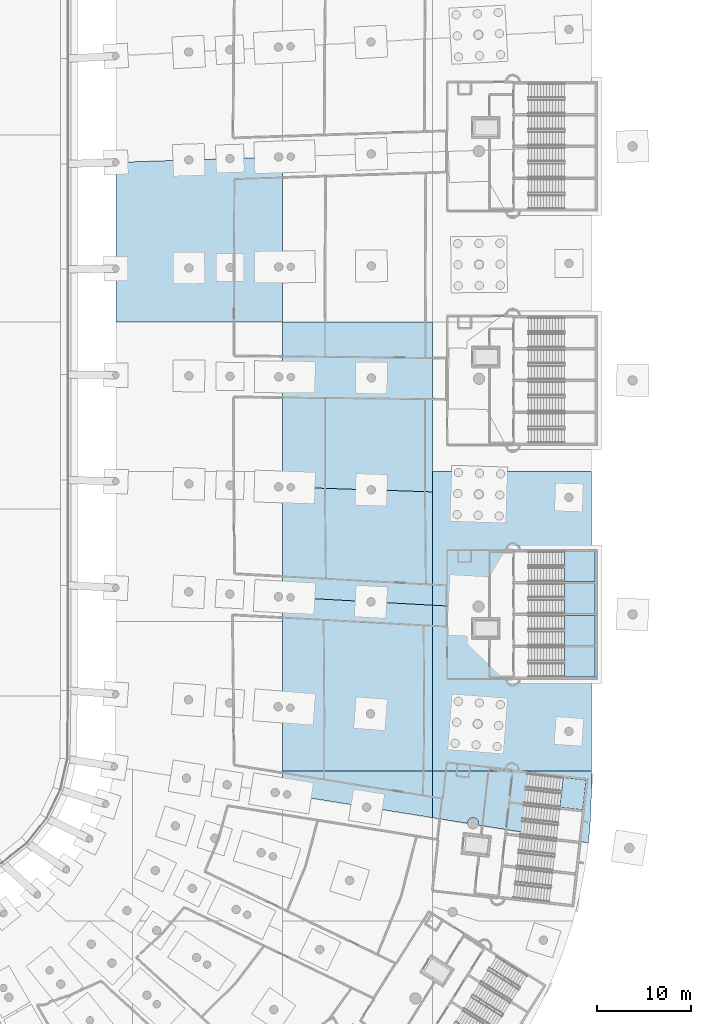
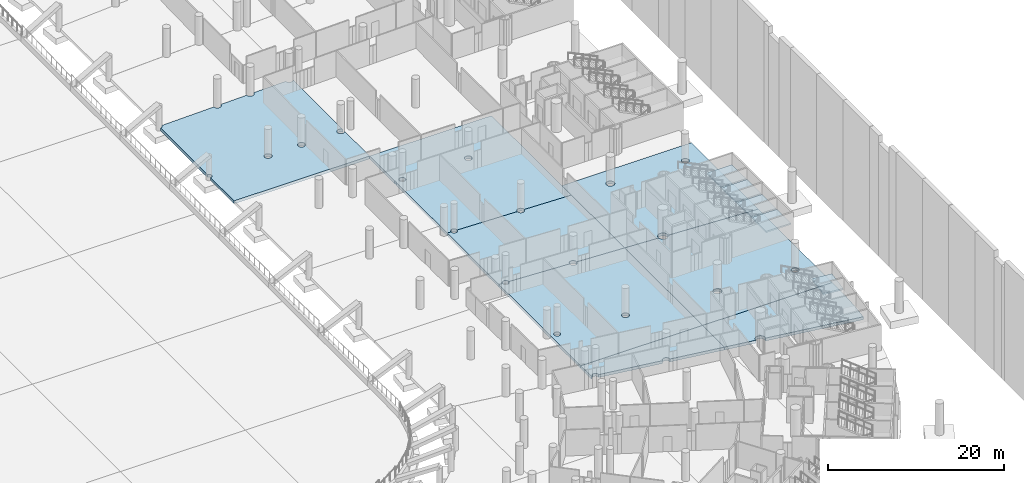
# One storey, part 24 of 142: 13 slabs, 5 elements without a shape of their own.
"""IFC4 building model written with IfcOpenShell, lengths in metres."""

from ifc_helpers import new_model, si_unit, direction, frame, origin, place, context, subcontext, project, spatial, polyline, outline, extrude, material, layer, layer_set, type_object, element, aggregate, save


model = new_model("IFC4")

# Units and contexts
model_context = context("Model", 3, precision=1e-05, world=origin(), true_north=direction((0.0, 1.0)))
body_context = subcontext(model_context, "Body", "Model", "MODEL_VIEW")
ifc_project = project(units=[si_unit("LENGTHUNIT", "METRE"), si_unit("AREAUNIT", "SQUARE_METRE"), si_unit("VOLUMEUNIT", "CUBIC_METRE"), si_unit("PLANEANGLEUNIT", "RADIAN"), si_unit("MASSUNIT", "GRAM", prefix="KILO")], contexts=[model_context])

# Site, building, storey
site_placement = place(None, origin())
site = spatial("IfcSite", under=ifc_project, at=site_placement, CompositionType="ELEMENT")
building_placement = place(site_placement, origin())
building = spatial("IfcBuilding", under=site, at=building_placement, Name="Meseta Stadium", CompositionType="ELEMENT")
storey_placement = place(building_placement, frame((0.0, 0.0, -4.0)))
storey = spatial("IfcBuildingStorey", under=building, at=storey_placement, Name="B1", CompositionType="ELEMENT", Elevation=-4.0)

# Slabs
ifc_material_1 = material(Name="Concrete C30/37", Category="concrete")
ifc_layer_1 = layer(ifc_material_1, 0.39990234375)
ifc_layer_set_1 = layer_set([ifc_layer_1], Name="Base slab 400")
slab_type_1 = type_object("IfcSlabType", Name="Base slab 400", PredefinedType="BASESLAB", material=ifc_layer_set_1)
slab_1_placement = place(storey_placement, frame((0.0, 0.0, -0.39990234375)))
element("IfcSlab", 1, at=slab_1_placement, inside=storey, type_object=slab_type_1, Name="Base slab B1 sector 00 panel 04", PredefinedType="BASESLAB", context=body_context, shape_type="SweptSolid", body=[
    extrude(outline(polyline([(46.524658203125, 5.816650390625), (46.544677734375, 5.75048828125), (46.551025390625, 5.685791015625), (46.544677734375, 5.61328125), (46.524658203125, 5.54736328125), (46.4921875, 5.486572265625), (46.448486328125, 5.433349609375), (46.39501953125, 5.3896484375), (46.334228515625, 5.357177734375), (46.268310546875, 5.337158203125), (46.19970703125, 5.330322265625), (46.199951171875, 0.0), (64.0, 0.0), (64.0, 5.669189453125), (63.974609375, 5.62158203125), (63.91845703125, 5.552978515625), (63.849853515625, 5.496826171875), (63.771728515625, 5.455078125), (63.68701171875, 5.42919921875), (63.5986328125, 5.420654296875), (63.510498046875, 5.42919921875), (63.425537109375, 5.455078125), (63.347412109375, 5.496826171875), (63.27880859375, 5.552978515625), (63.22265625, 5.62158203125), (63.180908203125, 5.69970703125), (63.1552734375, 5.78466796875), (63.146484375, 5.872802734375), (63.1552734375, 5.9609375), (63.180908203125, 6.0458984375), (63.22265625, 6.1240234375), (63.27880859375, 6.1923828125), (63.347412109375, 6.248779296875), (63.425537109375, 6.29052734375), (63.510498046875, 6.31640625), (63.5986328125, 6.324951171875), (63.68701171875, 6.31640625), (63.771728515625, 6.29052734375), (63.849853515625, 6.248779296875), (63.91845703125, 6.1923828125), (63.974609375, 6.1240234375), (64.0, 6.076416015625), (64.0, 17.434814453125), (63.9638671875, 17.36669921875), (63.907470703125, 17.29833984375), (63.839111328125, 17.241943359375), (63.7607421875, 17.2001953125), (63.676025390625, 17.174560546875), (63.587890625, 17.165771484375), (63.49951171875, 17.174560546875), (63.414794921875, 17.2001953125), (63.336669921875, 17.241943359375), (63.26806640625, 17.29833984375), (63.2119140625, 17.36669921875), (63.169921875, 17.445068359375), (63.144287109375, 17.52978515625), (63.13720703125, 17.603271484375), (58.84130859375, 17.4619140625), (58.8427734375, 17.447021484375), (58.833984375, 17.35888671875), (58.808349609375, 17.27392578125), (58.7666015625, 17.19580078125), (58.710205078125, 17.127197265625), (58.641845703125, 17.071044921875), (58.563720703125, 17.029296875), (58.478759765625, 17.003662109375), (58.390625, 16.994873046875), (58.302490234375, 17.003662109375), (58.217529296875, 17.029296875), (58.139404296875, 17.071044921875), (58.07080078125, 17.127197265625), (58.0146484375, 17.19580078125), (57.972900390625, 17.27392578125), (57.947021484375, 17.35888671875), (57.93994140625, 17.43212890625), (54.443603515625, 17.317138671875), (54.445068359375, 17.302490234375), (54.4365234375, 17.214111328125), (54.41064453125, 17.12939453125), (54.368896484375, 17.05126953125), (54.312744140625, 16.982666015625), (54.244140625, 16.926513671875), (54.166015625, 16.884521484375), (54.081298828125, 16.85888671875), (53.992919921875, 16.85009765625), (53.90478515625, 16.85888671875), (53.81982421875, 16.884521484375), (53.74169921875, 16.926513671875), (53.673095703125, 16.982666015625), (53.616943359375, 17.05126953125), (53.5751953125, 17.12939453125), (53.549560546875, 17.214111328125), (53.542236328125, 17.28759765625), (46.5478515625, 17.0576171875), (46.548828125, 17.0458984375), (46.5419921875, 16.977294921875), (46.522216796875, 16.911376953125), (46.489501953125, 16.8505859375), (46.44580078125, 16.79736328125), (46.392578125, 16.75341796875), (46.331787109375, 16.720947265625), (46.265869140625, 16.700927734375), (46.197265625, 16.6943359375), (46.19970703125, 6.03369140625), (46.268310546875, 6.02685546875), (46.334228515625, 6.0068359375), (46.39501953125, 5.974365234375), (46.448486328125, 5.9306640625), (46.4921875, 5.87744140625), (46.524658203125, 5.816650390625)]), holes=[polyline([(53.679443359375, 5.44775390625), (53.623291015625, 5.516357421875), (53.58154296875, 5.594482421875), (53.5556640625, 5.67919921875), (53.547119140625, 5.767578125), (53.5556640625, 5.855712890625), (53.58154296875, 5.940673828125), (53.623291015625, 6.018798828125), (53.679443359375, 6.08740234375), (53.748046875, 6.1435546875), (53.826171875, 6.185302734375), (53.910888671875, 6.2109375), (53.999267578125, 6.2197265625), (54.08740234375, 6.2109375), (54.17236328125, 6.185302734375), (54.25048828125, 6.1435546875), (54.319091796875, 6.08740234375), (54.375244140625, 6.018798828125), (54.4169921875, 5.940673828125), (54.442626953125, 5.855712890625), (54.451416015625, 5.767578125), (54.442626953125, 5.67919921875), (54.4169921875, 5.594482421875), (54.375244140625, 5.516357421875), (54.319091796875, 5.44775390625), (54.25048828125, 5.3916015625), (54.17236328125, 5.349853515625), (54.08740234375, 5.323974609375), (53.999267578125, 5.3154296875), (53.910888671875, 5.323974609375), (53.826171875, 5.349853515625), (53.748046875, 5.3916015625), (53.679443359375, 5.44775390625)]), polyline([(58.0791015625, 5.49609375), (58.02294921875, 5.564697265625), (57.981201171875, 5.642578125), (57.95556640625, 5.7275390625), (57.94677734375, 5.81591796875), (57.95556640625, 5.904052734375), (57.981201171875, 5.98876953125), (58.02294921875, 6.06689453125), (58.0791015625, 6.135498046875), (58.147705078125, 6.191650390625), (58.225830078125, 6.2333984375), (58.310791015625, 6.25927734375), (58.39892578125, 6.26806640625), (58.4873046875, 6.25927734375), (58.572021484375, 6.2333984375), (58.650146484375, 6.191650390625), (58.71875, 6.135498046875), (58.77490234375, 6.06689453125), (58.816650390625, 5.98876953125), (58.84228515625, 5.904052734375), (58.85107421875, 5.81591796875), (58.84228515625, 5.7275390625), (58.816650390625, 5.642578125), (58.77490234375, 5.564697265625), (58.71875, 5.49609375), (58.650146484375, 5.439697265625), (58.572021484375, 5.39794921875), (58.4873046875, 5.372314453125), (58.39892578125, 5.363525390625), (58.310791015625, 5.372314453125), (58.225830078125, 5.39794921875), (58.147705078125, 5.439697265625), (58.0791015625, 5.49609375)])]), origin(), (0.0, 0.0, 1.0), 0.39990234375),
])
slab_2_placement = place(storey_placement, frame((0.0, 0.0, -0.39990234375)))
element("IfcSlab", 2, at=slab_2_placement, inside=storey, type_object=slab_type_1, Name="Base slab B1 sector 00 panel 06", PredefinedType="BASESLAB", context=body_context, shape_type="SweptSolid", body=[
    extrude(outline(polyline([(64.492919921875, -29.587158203125), (64.469970703125, -29.51171875), (64.462158203125, -29.433349609375), (64.46435546875, -29.411376953125), (64.015869140625, -29.38671875), (64.009521484375, -29.450439453125), (64.0, -29.482177734375), (64.0, -48.0), (80.0, -48.0), (80.0, -30.26318359375), (73.90087890625, -29.9287109375), (73.894775390625, -29.9921875), (73.868896484375, -30.0771484375), (73.8271484375, -30.1552734375), (73.77099609375, -30.223876953125), (73.702392578125, -30.280029296875), (73.624267578125, -30.322021484375), (73.53955078125, -30.34765625), (73.451416015625, -30.356201171875), (73.363037109375, -30.34765625), (73.2783203125, -30.322021484375), (73.2001953125, -30.280029296875), (73.131591796875, -30.223876953125), (73.0751953125, -30.1552734375), (73.033447265625, -30.0771484375), (73.0078125, -29.9921875), (72.9990234375, -29.904052734375), (73.00146484375, -29.87939453125), (65.263916015625, -29.455322265625), (65.25830078125, -29.51171875), (65.235595703125, -29.587158203125), (65.198486328125, -29.656494140625), (65.1484375, -29.717529296875), (65.08740234375, -29.767578125), (65.01806640625, -29.8046875), (64.942626953125, -29.82763671875), (64.8642578125, -29.835205078125), (64.78564453125, -29.82763671875), (64.710205078125, -29.8046875), (64.640869140625, -29.767578125), (64.580078125, -29.717529296875), (64.530029296875, -29.656494140625), (64.492919921875, -29.587158203125)]), holes=[polyline([(73.84814453125, -41.77392578125), (73.85693359375, -41.8623046875), (73.84814453125, -41.950439453125), (73.822509765625, -42.03515625), (73.78076171875, -42.11328125), (73.724365234375, -42.181884765625), (73.656005859375, -42.23828125), (73.57763671875, -42.280029296875), (73.492919921875, -42.3056640625), (73.40478515625, -42.314453125), (73.31640625, -42.3056640625), (73.231689453125, -42.280029296875), (73.153564453125, -42.23828125), (73.0849609375, -42.181884765625), (73.02880859375, -42.11328125), (72.98681640625, -42.03515625), (72.961181640625, -41.950439453125), (72.952392578125, -41.8623046875), (72.961181640625, -41.77392578125), (72.98681640625, -41.689208984375), (73.02880859375, -41.611083984375), (73.0849609375, -41.54248046875), (73.153564453125, -41.486083984375), (73.231689453125, -41.4443359375), (73.31640625, -41.418701171875), (73.40478515625, -41.409912109375), (73.492919921875, -41.418701171875), (73.57763671875, -41.4443359375), (73.656005859375, -41.486083984375), (73.724365234375, -41.54248046875), (73.78076171875, -41.611083984375), (73.822509765625, -41.689208984375), (73.84814453125, -41.77392578125)]), polyline([(65.22412109375, -41.12548828125), (65.231689453125, -41.2041015625), (65.22412109375, -41.282470703125), (65.201171875, -41.35791015625), (65.1640625, -41.427490234375), (65.114013671875, -41.48828125), (65.05322265625, -41.5380859375), (64.983642578125, -41.575439453125), (64.908203125, -41.598388671875), (64.829833984375, -41.60595703125), (64.75146484375, -41.598388671875), (64.676025390625, -41.575439453125), (64.606689453125, -41.5380859375), (64.545654296875, -41.48828125), (64.49560546875, -41.427490234375), (64.45849609375, -41.35791015625), (64.435791015625, -41.282470703125), (64.427978515625, -41.2041015625), (64.435791015625, -41.12548828125), (64.45849609375, -41.05029296875), (64.49560546875, -40.980712890625), (64.545654296875, -40.919921875), (64.606689453125, -40.869873046875), (64.676025390625, -40.832763671875), (64.75146484375, -40.809814453125), (64.829833984375, -40.802001953125), (64.908203125, -40.809814453125), (64.983642578125, -40.832763671875), (65.05322265625, -40.869873046875), (65.114013671875, -40.919921875), (65.1640625, -40.980712890625), (65.201171875, -41.05029296875), (65.22412109375, -41.12548828125)])]), origin(), (0.0, 0.0, 1.0), 0.39990234375),
])
slab_3_placement = place(storey_placement, frame((0.0, 0.0, -0.39990234375)))
element("IfcSlab", 3, at=slab_3_placement, inside=storey, type_object=slab_type_1, Name="Base slab B1 sector 00 panel 08", PredefinedType="BASESLAB", context=body_context, shape_type="SweptSolid", body=[
    extrude(outline(polyline([(64.009521484375, -29.27392578125), (64.018310546875, -29.3623046875), (64.015869140625, -29.38671875), (64.46435546875, -29.411376953125), (64.469970703125, -29.35498046875), (64.492919921875, -29.279541015625), (64.530029296875, -29.2099609375), (64.580078125, -29.149169921875), (64.640869140625, -29.09912109375), (64.710205078125, -29.06201171875), (64.78564453125, -29.0390625), (64.8642578125, -29.031494140625), (64.942626953125, -29.0390625), (65.01806640625, -29.06201171875), (65.08740234375, -29.09912109375), (65.1484375, -29.149169921875), (65.198486328125, -29.2099609375), (65.235595703125, -29.279541015625), (65.25830078125, -29.35498046875), (65.26611328125, -29.433349609375), (65.263916015625, -29.455322265625), (73.00146484375, -29.87939453125), (73.0078125, -29.81591796875), (73.033447265625, -29.731201171875), (73.0751953125, -29.65283203125), (73.131591796875, -29.58447265625), (73.2001953125, -29.5283203125), (73.2783203125, -29.486328125), (73.363037109375, -29.460693359375), (73.451416015625, -29.451904296875), (73.53955078125, -29.460693359375), (73.624267578125, -29.486328125), (73.702392578125, -29.5283203125), (73.77099609375, -29.58447265625), (73.8271484375, -29.65283203125), (73.868896484375, -29.731201171875), (73.894775390625, -29.81591796875), (73.9033203125, -29.904052734375), (73.90087890625, -29.9287109375), (80.0, -30.26318359375), (80.0, -18.157958984375), (73.93310546875, -17.958251953125), (73.92578125, -18.03173828125), (73.900146484375, -18.116455078125), (73.8583984375, -18.194580078125), (73.80224609375, -18.26318359375), (73.733642578125, -18.319580078125), (73.655517578125, -18.361328125), (73.570556640625, -18.386962890625), (73.482421875, -18.395751953125), (73.394287109375, -18.386962890625), (73.309326171875, -18.361328125), (73.231201171875, -18.319580078125), (73.16259765625, -18.26318359375), (73.1064453125, -18.194580078125), (73.064697265625, -18.116455078125), (73.038818359375, -18.03173828125), (73.0302734375, -17.943603515625), (73.03173828125, -17.9287109375), (65.28759765625, -17.673828125), (65.28125, -17.7392578125), (65.25830078125, -17.814697265625), (65.22119140625, -17.884033203125), (65.17138671875, -17.945068359375), (65.1103515625, -17.9951171875), (65.041015625, -18.031982421875), (64.965576171875, -18.054931640625), (64.88720703125, -18.062744140625), (64.80859375, -18.054931640625), (64.7333984375, -18.031982421875), (64.663818359375, -17.9951171875), (64.602783203125, -17.945068359375), (64.552978515625, -17.884033203125), (64.515625, -17.814697265625), (64.492919921875, -17.7392578125), (64.485107421875, -17.660888671875), (64.486328125, -17.647705078125), (64.03857421875, -17.6328125), (64.03125, -17.706298828125), (64.005615234375, -17.791015625), (64.0, -17.801513671875), (64.0, -29.2421875), (64.009521484375, -29.27392578125)])), origin(), (0.0, 0.0, 1.0), 0.39990234375),
])
slab_4_placement = place(storey_placement, frame((0.0, 0.0, -0.39990234375)))
element("IfcSlab", 4, at=slab_4_placement, inside=storey, type_object=slab_type_1, Name="Base slab B1 sector 00 panel 09", PredefinedType="BASESLAB", context=body_context, shape_type="SweptSolid", body=[
    extrude(outline(polyline([(73.93310546875, -17.958251953125), (80.0, -18.157958984375), (80.0, 0.0), (64.0, 0.0), (64.0, -5.669189453125), (64.016357421875, -5.69970703125), (64.0419921875, -5.78466796875), (64.05078125, -5.872802734375), (64.0419921875, -5.9609375), (64.016357421875, -6.0458984375), (64.0, -6.076416015625), (64.0, -17.434814453125), (64.005615234375, -17.445068359375), (64.03125, -17.52978515625), (64.0400390625, -17.617919921875), (64.03857421875, -17.6328125), (64.486328125, -17.647705078125), (64.492919921875, -17.582275390625), (64.515625, -17.5068359375), (64.552978515625, -17.4375), (64.602783203125, -17.37646484375), (64.663818359375, -17.32666015625), (64.7333984375, -17.289306640625), (64.80859375, -17.2666015625), (64.88720703125, -17.2587890625), (64.965576171875, -17.2666015625), (65.041015625, -17.289306640625), (65.1103515625, -17.32666015625), (65.17138671875, -17.37646484375), (65.22119140625, -17.4375), (65.25830078125, -17.5068359375), (65.28125, -17.582275390625), (65.2890625, -17.660888671875), (65.28759765625, -17.673828125), (73.03173828125, -17.9287109375), (73.038818359375, -17.855224609375), (73.064697265625, -17.7705078125), (73.1064453125, -17.6923828125), (73.16259765625, -17.623779296875), (73.231201171875, -17.5673828125), (73.309326171875, -17.525634765625), (73.394287109375, -17.5), (73.482421875, -17.4912109375), (73.570556640625, -17.5), (73.655517578125, -17.525634765625), (73.733642578125, -17.5673828125), (73.80224609375, -17.623779296875), (73.8583984375, -17.6923828125), (73.900146484375, -17.7705078125), (73.92578125, -17.855224609375), (73.9345703125, -17.943603515625), (73.93310546875, -17.958251953125)]), holes=[polyline([(73.246826171875, -6.357421875), (73.17822265625, -6.301025390625), (73.1220703125, -6.232666015625), (73.080322265625, -6.154296875), (73.0546875, -6.069580078125), (73.0458984375, -5.981201171875), (73.0546875, -5.89306640625), (73.080322265625, -5.808349609375), (73.1220703125, -5.72998046875), (73.17822265625, -5.66162109375), (73.246826171875, -5.60546875), (73.324951171875, -5.563720703125), (73.409912109375, -5.537841796875), (73.498046875, -5.529296875), (73.586181640625, -5.537841796875), (73.671142578125, -5.563720703125), (73.749267578125, -5.60546875), (73.81787109375, -5.66162109375), (73.8740234375, -5.72998046875), (73.915771484375, -5.808349609375), (73.94140625, -5.89306640625), (73.9501953125, -5.981201171875), (73.94140625, -6.069580078125), (73.915771484375, -6.154296875), (73.8740234375, -6.232666015625), (73.81787109375, -6.301025390625), (73.749267578125, -6.357421875), (73.671142578125, -6.399169921875), (73.586181640625, -6.4248046875), (73.498046875, -6.43359375), (73.409912109375, -6.4248046875), (73.324951171875, -6.399169921875), (73.246826171875, -6.357421875)]), polyline([(64.527099609375, -6.041015625), (64.50439453125, -5.965576171875), (64.4970703125, -5.882568359375), (64.50439453125, -5.80859375), (64.527099609375, -5.733154296875), (64.564453125, -5.663818359375), (64.614501953125, -5.602783203125), (64.67529296875, -5.552734375), (64.74462890625, -5.515625), (64.820068359375, -5.492919921875), (64.898681640625, -5.485107421875), (64.97705078125, -5.492919921875), (65.052490234375, -5.515625), (65.121826171875, -5.552734375), (65.182861328125, -5.602783203125), (65.23291015625, -5.663818359375), (65.27001953125, -5.733154296875), (65.292724609375, -5.80859375), (65.300537109375, -5.886962890625), (65.292724609375, -5.965576171875), (65.27001953125, -6.041015625), (65.23291015625, -6.1103515625), (65.182861328125, -6.17138671875), (65.121826171875, -6.22119140625), (65.052490234375, -6.25830078125), (64.97705078125, -6.28125), (64.898681640625, -6.2890625), (64.820068359375, -6.28125), (64.74462890625, -6.25830078125), (64.67529296875, -6.22119140625), (64.614501953125, -6.17138671875), (64.564453125, -6.1103515625), (64.527099609375, -6.041015625)])]), origin(), (0.0, 0.0, 1.0), 0.39990234375),
])
slab_5_placement = place(storey_placement, frame((0.0, 0.0, -0.39990234375)))
element("IfcSlab", 5, at=slab_5_placement, inside=storey, type_object=slab_type_1, Name="Base slab B1 sector 00 panel 11", PredefinedType="BASESLAB", context=body_context, shape_type="SweptSolid", body=[
    extrude(outline(polyline([(73.4443359375, -51.84716796875), (73.438232421875, -51.908935546875), (80.0, -52.9658203125), (80.0, -48.0), (64.0, -48.0), (64.0, -50.388916015625), (64.10693359375, -50.406005859375), (64.107421875, -50.4013671875), (64.13037109375, -50.325927734375), (64.16748046875, -50.25634765625), (64.21728515625, -50.195556640625), (64.2783203125, -50.1455078125), (64.347900390625, -50.1083984375), (64.423095703125, -50.08544921875), (64.501708984375, -50.077880859375), (64.580078125, -50.08544921875), (64.655517578125, -50.1083984375), (64.724853515625, -50.1455078125), (64.785888671875, -50.195556640625), (64.835693359375, -50.25634765625), (64.873046875, -50.325927734375), (64.895751953125, -50.4013671875), (64.903564453125, -50.479736328125), (64.898193359375, -50.533447265625), (72.548095703125, -51.765380859375), (72.548583984375, -51.759033203125), (72.574462890625, -51.674072265625), (72.6162109375, -51.595947265625), (72.672607421875, -51.52734375), (72.740966796875, -51.47119140625), (72.819091796875, -51.429443359375), (72.904052734375, -51.40380859375), (72.9921875, -51.39501953125), (73.080322265625, -51.40380859375), (73.165283203125, -51.429443359375), (73.243408203125, -51.47119140625), (73.31201171875, -51.52734375), (73.3681640625, -51.595947265625), (73.409912109375, -51.674072265625), (73.435791015625, -51.759033203125), (73.4443359375, -51.84716796875)])), origin(), (0.0, 0.0, 1.0), 0.39990234375),
])
slab_6_placement = place(storey_placement, frame((0.0, 0.0, -0.39990234375)))
element("IfcSlab", 6, at=slab_6_placement, inside=storey, type_object=slab_type_1, Name="Base slab B1 sector 00 panel 12", PredefinedType="BASESLAB", context=body_context, shape_type="SweptSolid", body=[
    extrude(outline(polyline([(85.366943359375, -30.830322265625), (85.275634765625, -30.9052734375), (85.17138671875, -30.9609375), (85.058349609375, -30.995361328125), (84.940673828125, -31.0068359375), (84.822998046875, -30.995361328125), (84.7099609375, -30.9609375), (84.605712890625, -30.9052734375), (84.514404296875, -30.830322265625), (84.439453125, -30.739013671875), (84.3837890625, -30.634765625), (84.349365234375, -30.521484375), (84.347412109375, -30.50146484375), (80.0, -30.26318359375), (80.0, -48.0), (97.00341796875, -48.0), (97.00146484375, -31.1953125), (85.5185546875, -30.565673828125), (85.497802734375, -30.634765625), (85.44189453125, -30.739013671875), (85.366943359375, -30.830322265625)]), holes=[polyline([(94.77294921875, -43.332275390625), (94.851318359375, -43.3740234375), (94.919677734375, -43.430419921875), (94.97607421875, -43.498779296875), (95.017822265625, -43.576904296875), (95.04345703125, -43.661865234375), (95.05224609375, -43.75), (95.04345703125, -43.838134765625), (95.017822265625, -43.923095703125), (94.97607421875, -44.001220703125), (94.919677734375, -44.069580078125), (94.851318359375, -44.1259765625), (94.77294921875, -44.167724609375), (94.688232421875, -44.193603515625), (94.60009765625, -44.2021484375), (94.51171875, -44.193603515625), (94.427001953125, -44.167724609375), (94.348876953125, -44.1259765625), (94.2802734375, -44.069580078125), (94.22412109375, -44.001220703125), (94.18212890625, -43.923095703125), (94.156494140625, -43.838134765625), (94.147705078125, -43.75), (94.156494140625, -43.661865234375), (94.18212890625, -43.576904296875), (94.22412109375, -43.498779296875), (94.2802734375, -43.430419921875), (94.348876953125, -43.3740234375), (94.427001953125, -43.332275390625), (94.51171875, -43.306396484375), (94.60009765625, -43.2978515625), (94.688232421875, -43.306396484375), (94.77294921875, -43.332275390625)]), polyline([(85.133056640625, -42.53076171875), (85.209228515625, -42.59326171875), (85.271728515625, -42.66943359375), (85.318115234375, -42.75634765625), (85.3466796875, -42.8505859375), (85.3564453125, -42.948486328125), (85.3466796875, -43.046630859375), (85.318115234375, -43.140869140625), (85.271728515625, -43.227783203125), (85.209228515625, -43.3037109375), (85.133056640625, -43.3662109375), (85.04638671875, -43.41259765625), (84.951904296875, -43.44140625), (84.85400390625, -43.450927734375), (84.756103515625, -43.44140625), (84.66162109375, -43.41259765625), (84.574951171875, -43.3662109375), (84.498779296875, -43.3037109375), (84.436279296875, -43.227783203125), (84.389892578125, -43.140869140625), (84.361083984375, -43.046630859375), (84.3515625, -42.948486328125), (84.361083984375, -42.8505859375), (84.389892578125, -42.75634765625), (84.436279296875, -42.66943359375), (84.498779296875, -42.59326171875), (84.574951171875, -42.53076171875), (84.66162109375, -42.484375), (84.756103515625, -42.455810546875), (84.85400390625, -42.446044921875), (84.951904296875, -42.455810546875), (85.04638671875, -42.484375), (85.133056640625, -42.53076171875)])]), origin(), (0.0, 0.0, 1.0), 0.39990234375),
])
slab_7_placement = place(storey_placement, frame((0.0, 0.0, -0.39990234375)))
element("IfcSlab", 7, at=slab_7_placement, inside=storey, type_object=slab_type_1, Name="Base slab B1 sector 00 panel 16", PredefinedType="BASESLAB", context=body_context, shape_type="SweptSolid", body=[
    extrude(outline(polyline([(85.17138671875, -29.846923828125), (85.275634765625, -29.902587890625), (85.366943359375, -29.977783203125), (85.44189453125, -30.069091796875), (85.497802734375, -30.17333984375), (85.531982421875, -30.286376953125), (85.543701171875, -30.404052734375), (85.531982421875, -30.521484375), (85.5185546875, -30.565673828125), (97.00146484375, -31.1953125), (97.00048828125, -16.0), (80.0, -16.0), (80.0, -30.26318359375), (84.347412109375, -30.50146484375), (84.337890625, -30.404052734375), (84.349365234375, -30.286376953125), (84.3837890625, -30.17333984375), (84.439453125, -30.069091796875), (84.514404296875, -29.977783203125), (84.605712890625, -29.902587890625), (84.7099609375, -29.846923828125), (84.822998046875, -29.812744140625), (84.940673828125, -29.801025390625), (85.058349609375, -29.812744140625), (85.17138671875, -29.846923828125)]), holes=[polyline([(84.617919921875, -18.76611328125), (84.555419921875, -18.689697265625), (84.5087890625, -18.60302734375), (84.480224609375, -18.5087890625), (84.470703125, -18.41064453125), (84.480224609375, -18.312744140625), (84.5087890625, -18.218505859375), (84.555419921875, -18.131591796875), (84.617919921875, -18.055419921875), (84.69384765625, -17.992919921875), (84.78076171875, -17.946533203125), (84.875, -17.91796875), (84.97314453125, -17.908203125), (85.071044921875, -17.91796875), (85.165283203125, -17.946533203125), (85.252197265625, -17.992919921875), (85.328369140625, -18.055419921875), (85.390869140625, -18.131591796875), (85.437255859375, -18.218505859375), (85.4658203125, -18.312744140625), (85.4755859375, -18.41064453125), (85.4658203125, -18.5087890625), (85.437255859375, -18.60302734375), (85.390869140625, -18.689697265625), (85.328369140625, -18.76611328125), (85.252197265625, -18.82861328125), (85.165283203125, -18.875), (85.071044921875, -18.903564453125), (84.97314453125, -18.9130859375), (84.875, -18.903564453125), (84.78076171875, -18.875), (84.69384765625, -18.82861328125), (84.617919921875, -18.76611328125)]), polyline([(94.2802734375, -19.069580078125), (94.22412109375, -19.001220703125), (94.18212890625, -18.923095703125), (94.156494140625, -18.838134765625), (94.147705078125, -18.75), (94.156494140625, -18.661865234375), (94.18212890625, -18.576904296875), (94.22412109375, -18.498779296875), (94.2802734375, -18.430419921875), (94.348876953125, -18.3740234375), (94.427001953125, -18.332275390625), (94.51171875, -18.306396484375), (94.60009765625, -18.2978515625), (94.688232421875, -18.306396484375), (94.77294921875, -18.332275390625), (94.851318359375, -18.3740234375), (94.919677734375, -18.430419921875), (94.97607421875, -18.498779296875), (95.017822265625, -18.576904296875), (95.04345703125, -18.661865234375), (95.05224609375, -18.75), (95.04345703125, -18.838134765625), (95.017822265625, -18.923095703125), (94.97607421875, -19.001220703125), (94.919677734375, -19.069580078125), (94.851318359375, -19.1259765625), (94.77294921875, -19.167724609375), (94.688232421875, -19.193603515625), (94.60009765625, -19.2021484375), (94.51171875, -19.193603515625), (94.427001953125, -19.167724609375), (94.348876953125, -19.1259765625), (94.2802734375, -19.069580078125)])]), origin(), (0.0, 0.0, 1.0), 0.39990234375),
])
slab_8_placement = place(storey_placement, frame((0.0, 0.0, -0.39990234375)))
element("IfcSlab", 8, at=slab_8_placement, inside=storey, type_object=slab_type_1, Name="Base slab B1 sector 00 panel 17", PredefinedType="BASESLAB", context=body_context, shape_type="SweptSolid", body=[
    extrude(outline(polyline([(84.95458984375, -53.44775390625), (84.96630859375, -53.5654296875), (84.95458984375, -53.68310546875), (84.931396484375, -53.760009765625), (96.686767578125, -55.6533203125), (96.86376953125, -53.750732421875), (96.969970703125, -51.8330078125), (97.00390625, -49.91259765625), (97.00341796875, -48.0), (80.0, -48.0), (80.0, -52.9658203125), (83.760986328125, -53.5712890625), (83.760498046875, -53.5654296875), (83.77197265625, -53.44775390625), (83.806396484375, -53.334716796875), (83.862060546875, -53.23046875), (83.93701171875, -53.13916015625), (84.0283203125, -53.064208984375), (84.132568359375, -53.00830078125), (84.24560546875, -52.97412109375), (84.36328125, -52.96240234375), (84.48095703125, -52.97412109375), (84.593994140625, -53.00830078125), (84.6982421875, -53.064208984375), (84.789794921875, -53.13916015625), (84.864501953125, -53.23046875), (84.92041015625, -53.334716796875), (84.95458984375, -53.44775390625)])), origin(), (0.0, 0.0, 1.0), 0.39990234375),
])

# Stair, slab
ifc_material_2 = material(Name="Concrete C40/50", Category="concrete")
stair_type = type_object("IfcStairType", Name="Exit stair 2 flights 154 mm risers", PredefinedType="HALF_TURN_STAIR", material=ifc_material_2)
stair_1_placement = place(storey_placement, origin())
stair_1 = element("IfcStair", 9, at=stair_1_placement, inside=storey, type_object=stair_type, Name="ST4 B1", PredefinedType="HALF_TURN_STAIR")
ifc_material_3 = material(Name="Concrete C40/50", Category="concrete")
ifc_layer_2 = layer(ifc_material_3, 0.199951171875)
ifc_layer_set_2 = layer_set([ifc_layer_2], Name="Stair landing 200")
slab_type_2 = type_object("IfcSlabType", Name="Stair landing 200", PredefinedType="LANDING", material=ifc_layer_set_2)
slab_9_placement = place(storey_placement, frame((0.0, 0.0, 1.800048828125)))
slab_9 = element("IfcSlab", 10, at=slab_9_placement, type_object=slab_type_2, Name="ST4 B1 landing 1", PredefinedType="LANDING", context=body_context, shape_type="SweptSolid", body=[
    extrude(outline(polyline([(93.623046875, -51.84375), (96.077392578125, -52.1201171875), (96.435791015625, -48.9404296875), (93.981201171875, -48.663818359375), (93.623046875, -51.84375)])), origin(), (0.0, 0.0, 1.0), 0.199951171875),
])
aggregate(stair_1, [slab_9])

stair_2_placement = place(storey_placement, origin())
stair_2 = element("IfcStair", 11, at=stair_2_placement, inside=storey, type_object=stair_type, Name="ST5 B1", PredefinedType="HALF_TURN_STAIR")
slab_10_placement = place(storey_placement, frame((0.0, 0.0, 1.800048828125)))
slab_10 = element("IfcSlab", 12, at=slab_10_placement, type_object=slab_type_2, Name="ST5 B1 landing 1", PredefinedType="LANDING", context=body_context, shape_type="SweptSolid", body=[
    extrude(outline(polyline([(94.1298828125, -37.949951171875), (97.39990234375, -37.949951171875), (97.39990234375, -34.75), (94.1298828125, -34.75), (94.1298828125, -37.949951171875)])), origin(), (0.0, 0.0, 1.0), 0.199951171875),
])
aggregate(stair_2, [slab_10])

stair_3_placement = place(storey_placement, origin())
stair_3 = element("IfcStair", 13, at=stair_3_placement, inside=storey, type_object=stair_type, Name="ST6 B1", PredefinedType="HALF_TURN_STAIR")
slab_11_placement = place(storey_placement, frame((0.0, 0.0, 1.800048828125)))
slab_11 = element("IfcSlab", 14, at=slab_11_placement, type_object=slab_type_2, Name="ST6 B1 landing 1", PredefinedType="LANDING", context=body_context, shape_type="SweptSolid", body=[
    extrude(outline(polyline([(94.1298828125, -34.550048828125), (97.39990234375, -34.550048828125), (97.39990234375, -31.35009765625), (94.1298828125, -31.35009765625), (94.1298828125, -34.550048828125)])), origin(), (0.0, 0.0, 1.0), 0.199951171875),
])
aggregate(stair_3, [slab_11])

stair_4_placement = place(storey_placement, origin())
stair_4 = element("IfcStair", 15, at=stair_4_placement, inside=storey, type_object=stair_type, Name="ST7 B1", PredefinedType="HALF_TURN_STAIR")
slab_12_placement = place(storey_placement, frame((0.0, 0.0, 1.800048828125)))
slab_12 = element("IfcSlab", 16, at=slab_12_placement, type_object=slab_type_2, Name="ST7 B1 landing 1", PredefinedType="LANDING", context=body_context, shape_type="SweptSolid", body=[
    extrude(outline(polyline([(94.1298828125, -31.14990234375), (97.39990234375, -31.14990234375), (97.39990234375, -27.949951171875), (94.1298828125, -27.949951171875), (94.1298828125, -31.14990234375)])), origin(), (0.0, 0.0, 1.0), 0.199951171875),
])
aggregate(stair_4, [slab_12])

stair_5_placement = place(storey_placement, origin())
stair_5 = element("IfcStair", 17, at=stair_5_placement, inside=storey, type_object=stair_type, Name="ST8 B1", PredefinedType="HALF_TURN_STAIR")
slab_13_placement = place(storey_placement, frame((0.0, 0.0, 1.800048828125)))
slab_13 = element("IfcSlab", 18, at=slab_13_placement, type_object=slab_type_2, Name="ST8 B1 landing 1", PredefinedType="LANDING", context=body_context, shape_type="SweptSolid", body=[
    extrude(outline(polyline([(94.1298828125, -27.75), (97.39990234375, -27.75), (97.39990234375, -24.550048828125), (94.1298828125, -24.550048828125), (94.1298828125, -27.75)])), origin(), (0.0, 0.0, 1.0), 0.199951171875),
])
aggregate(stair_5, [slab_13])

save(model, "model.ifc")
